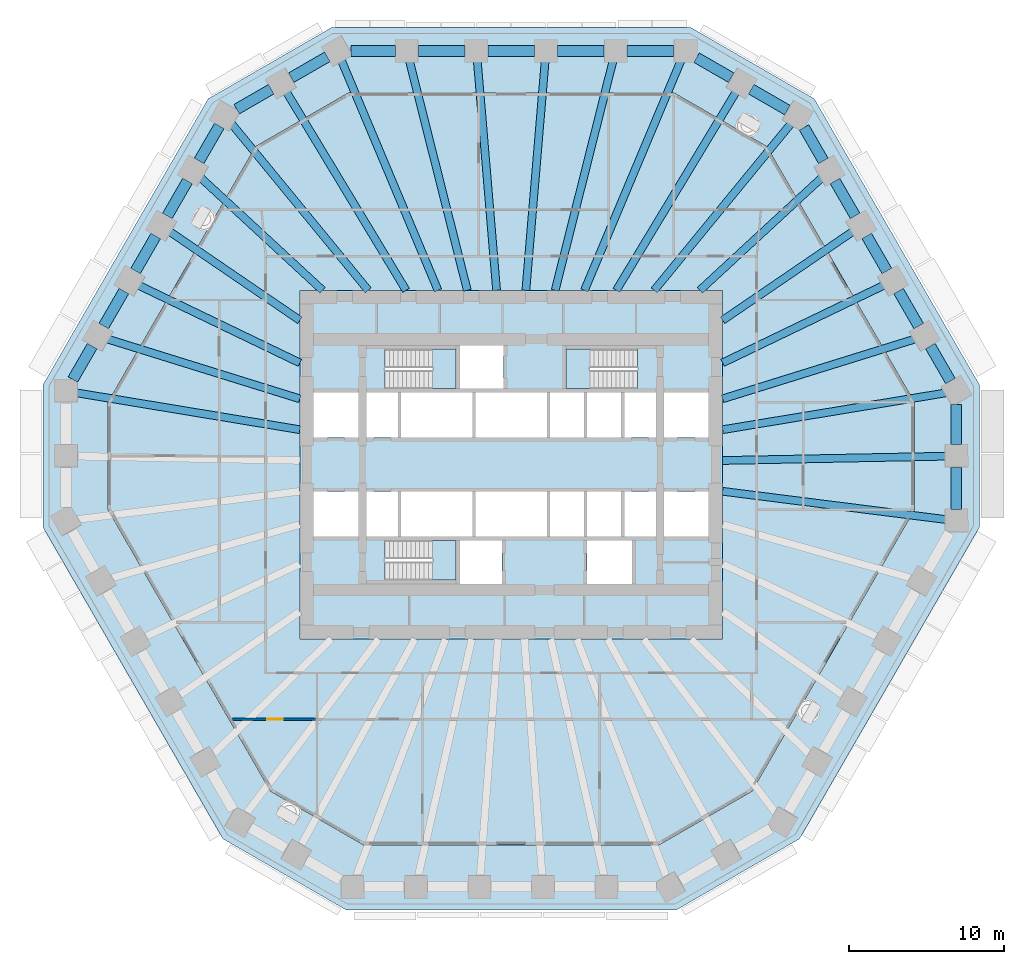
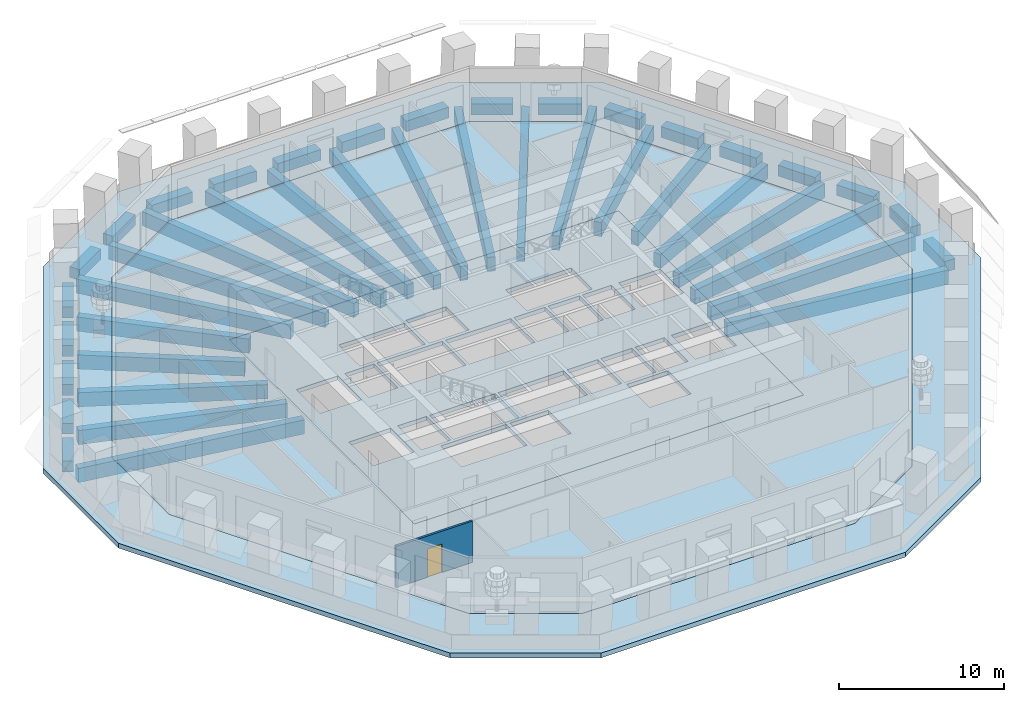
# One storey, part 2 of 13: 43 beams, 6 slabs, 1 door, 1 wall, 1 opening, 3 elements without a shape of their own.
"""IFC4 building model written with IfcOpenShell, lengths in metres."""

import ifcopenshell
import ifcopenshell.guid

model = None  # the IFC model being written
_history = None  # IfcOwnerHistory: only IFC2X3 demands one
_inside = {}  # id of a spatial element -> (the spatial element, [elements in it])
_under = {}  # id of a project, library or spatial element -> (it, [spatial elements below it])
_declared = {}  # id of a project -> (the project, [libraries it declares])
_typed = {}  # id of a type object -> (the type object, [elements of that type])
_made_of = {}  # id of a material, layer set ... -> (it, [elements and type objects made of it])


def new_model(schema):
    """Start an empty IFC model of exactly this schema.

    Asked for "IFC4X3", IfcOpenShell would pick the latest addendum, in which some entities
    have other attributes; the version numbers below select the first issue.
    IFC2X3 requires an IfcOwnerHistory on every rooted entity: one is made here for all.
    """
    global model, _history
    if schema == "IFC4X3":
        model = ifcopenshell.file(schema_version=(4, 3, 0, 0))
    else:
        model = ifcopenshell.file(schema=schema)
    _inside.clear()
    _under.clear()
    _declared.clear()
    _typed.clear()
    _made_of.clear()
    _history = None
    if model.schema == "IFC2X3":
        org = make("IfcOrganization", Name="unknown")
        user = make(
            "IfcPersonAndOrganization",
            ThePerson=make("IfcPerson", FamilyName="unknown"),
            TheOrganization=org,
        )
        app = make(
            "IfcApplication",
            ApplicationDeveloper=org,
            Version="unknown",
            ApplicationFullName="unknown",
            ApplicationIdentifier="unknown",
        )
        _history = make(
            "IfcOwnerHistory",
            OwningUser=user,
            OwningApplication=app,
            ChangeAction="ADDED",
            CreationDate=0,
        )
    return model


def make(cls, **values):
    """One entity of the class cls with the attributes given. An attribute that is None is left unset."""
    return model.create_entity(
        cls, **{name: value for name, value in values.items() if value is not None}
    )


def rooted(cls, **values):
    """An entity with a GlobalId (a new one), such as an element, a storey or a relation."""
    return make(cls, GlobalId=ifcopenshell.guid.new(), OwnerHistory=_history, **values)


def si_unit(unit_type, name, prefix=None):
    """IfcSIUnit, for example si_unit("LENGTHUNIT", "METRE", prefix="MILLI")."""
    return make("IfcSIUnit", UnitType=unit_type, Prefix=prefix, Name=name)


def assignment(units):
    """IfcUnitAssignment: the units of a project."""
    return None if units is None else make("IfcUnitAssignment", Units=units)


def point(xyz):
    """IfcCartesianPoint."""
    return None if xyz is None else make("IfcCartesianPoint", Coordinates=xyz)


def direction(xyz):
    """IfcDirection."""
    return None if xyz is None else make("IfcDirection", DirectionRatios=xyz)


def frame(location, z_axis=None, x_axis=None):
    """IfcAxis2Placement3D, a coordinate frame: its origin and axes. An axis left out is left unset."""
    return make(
        "IfcAxis2Placement3D",
        Location=point(location),
        Axis=direction(z_axis),
        RefDirection=direction(x_axis),
    )


def frame_2d(location, x_axis=None):
    """IfcAxis2Placement2D, a coordinate frame in the plane: its origin and x axis."""
    return make(
        "IfcAxis2Placement2D", Location=point(location), RefDirection=direction(x_axis)
    )


def origin():
    """The frame at (0, 0, 0) with its axes left unset."""
    return frame((0.0, 0.0, 0.0))


def origin_2d():
    """The frame at (0, 0) in the plane with its x axis left unset."""
    return frame_2d((0.0, 0.0))


def place(relative_to, where):
    """IfcLocalPlacement: puts the frame where relative to a parent placement (None: the world)."""
    return make(
        "IfcLocalPlacement", PlacementRelTo=relative_to, RelativePlacement=where
    )


def context(
    kind, dimensions, precision=None, world=None, true_north=None, identifier=None
):
    """IfcGeometricRepresentationContext, for example the 3D "Model" context."""
    return make(
        "IfcGeometricRepresentationContext",
        ContextIdentifier=identifier,
        ContextType=kind,
        CoordinateSpaceDimension=dimensions,
        Precision=precision,
        WorldCoordinateSystem=world,
        TrueNorth=true_north,
    )


def subcontext(parent, identifier, kind, view, scale=None):
    """IfcGeometricRepresentationSubContext, for example "Body" below "Model"."""
    return make(
        "IfcGeometricRepresentationSubContext",
        ContextIdentifier=identifier,
        ContextType=kind,
        ParentContext=parent,
        TargetScale=scale,
        TargetView=view,
    )


def project(units=None, contexts=None):
    """IfcProject with its units and contexts."""
    return rooted(
        "IfcProject",
        Name="project",
        RepresentationContexts=contexts,
        UnitsInContext=assignment(units),
    )


def spatial(cls, under=None, at=None, **own):
    """A site, building, storey or space (cls), placed at a placement, below another one or the project."""
    s = rooted(cls, ObjectPlacement=at, **own)
    if under is not None:
        _under.setdefault(under.id(), (under, []))[1].append(s)
    return s


def polyline(points):
    """IfcPolyline through the points."""
    return make("IfcPolyline", Points=[point(p) for p in points])


def profile(cls, at=None, kind="AREA", **sizes):
    """A parametric profile (cls). Its sizes go by their IFC names, for example OverallWidth=200.0."""
    return make(cls, ProfileType=kind, Position=at, **sizes)


def rectangle(**sizes):
    """IfcRectangleProfileDef."""
    return profile("IfcRectangleProfileDef", **sizes)


def outline(outer, holes=None, kind="AREA"):
    """IfcArbitraryClosedProfileDef: a profile drawn as a closed curve; with holes, ...WithVoids."""
    if holes is None:
        return make("IfcArbitraryClosedProfileDef", ProfileType=kind, OuterCurve=outer)
    return make(
        "IfcArbitraryProfileDefWithVoids",
        ProfileType=kind,
        OuterCurve=outer,
        InnerCurves=holes,
    )


def extrude(swept, where, along, depth):
    """IfcExtrudedAreaSolid: the profile swept, set in the frame where, extruded along a direction by depth."""
    return make(
        "IfcExtrudedAreaSolid",
        SweptArea=swept,
        Position=where,
        ExtrudedDirection=direction(along),
        Depth=depth,
    )


def shape(context_of_items, identifier, shape_type, items):
    """IfcShapeRepresentation: the items that make up one representation, for example the "Body"."""
    return make(
        "IfcShapeRepresentation",
        ContextOfItems=context_of_items,
        RepresentationIdentifier=identifier,
        RepresentationType=shape_type,
        Items=items,
    )


def material(Name=None, Category=None):
    """IfcMaterial."""
    return make("IfcMaterial", Name=Name, Category=Category)


def layer(
    of_material, thickness, ventilated=None, Name=None, Category=None, Priority=None
):
    """IfcMaterialLayer: one layer of a wall or slab, of a material (None: an air gap)."""
    return make(
        "IfcMaterialLayer",
        Material=of_material,
        LayerThickness=thickness,
        IsVentilated=ventilated,
        Name=Name,
        Category=Category,
        Priority=Priority,
    )


def layer_set(layers, Name=None):
    """IfcMaterialLayerSet."""
    return make("IfcMaterialLayerSet", MaterialLayers=layers, LayerSetName=Name)


def material_profile(
    of_material, cross_section, Name=None, Category=None, Priority=None
):
    """IfcMaterialProfile: a cross section and its material."""
    return make(
        "IfcMaterialProfile",
        Name=Name,
        Material=of_material,
        Profile=cross_section,
        Priority=Priority,
        Category=Category,
    )


def profile_set(profiles, Name=None, composite=None):
    """IfcMaterialProfileSet."""
    return make(
        "IfcMaterialProfileSet",
        Name=Name,
        MaterialProfiles=profiles,
        CompositeProfile=composite,
    )


def made_of(thing, what):
    """Note that an element or type object is made of a material, layer set ...; save() writes the relation."""
    if what is not None:
        _made_of.setdefault(what.id(), (what, []))[1].append(thing)
    return thing


def type_object(cls, material=None, **own):
    """A type object (cls), such as IfcWallType, which elements share."""
    return made_of(rooted(cls, **own), material)


def element(
    cls,
    number,
    at=None,
    inside=None,
    cuts=None,
    type_object=None,
    material=None,
    context=None,
    identifier="Body",
    shape_type=None,
    held_by="IfcProductDefinitionShape",
    body=None,
    shapes=None,
    **own,
):
    """One element of the class cls, such as IfcWall. Its Tag is "e" and its number.

    at: its placement. inside: the storey or other place that contains it. cuts: it is an
    opening in that element (IfcRelVoidsElement). A single representation is given by context,
    identifier, shape_type and body (its items); several are given by shapes. held_by: the class
    of the entity that holds the representations. save() writes the other relations.
    """
    e = rooted(cls, Tag="e%d" % number, ObjectPlacement=at, **own)
    if body is not None:
        shapes = [shape(context, identifier, shape_type, body)]
    if shapes is not None:
        e.Representation = make(held_by, Representations=shapes)
    if inside is not None:
        _inside.setdefault(inside.id(), (inside, []))[1].append(e)
    if cuts is not None:
        rooted(
            "IfcRelVoidsElement", RelatingBuildingElement=cuts, RelatedOpeningElement=e
        )
    if type_object is not None:
        _typed.setdefault(type_object.id(), (type_object, []))[1].append(e)
    return made_of(e, material)


def fill(opening, filler):
    """IfcRelFillsElement: the door or window that sits in an opening."""
    return rooted(
        "IfcRelFillsElement",
        RelatingOpeningElement=opening,
        RelatedBuildingElement=filler,
    )


def aggregate(whole, parts):
    """IfcRelAggregates: a whole, such as a stair, and the parts it consists of."""
    return rooted("IfcRelAggregates", RelatingObject=whole, RelatedObjects=parts)


def save(model, path):
    """Write the relations noted so far, then the file.

    IfcRelAggregates (storeys below a building ...), IfcRelContainedInSpatialStructure (elements
    in a storey), IfcRelDefinesByType, IfcRelAssociatesMaterial and IfcRelDeclares: one each for
    every whole, place, type object, material and project.
    """
    for whole, parts in _under.values():
        aggregate(whole, parts)
    for where, things in _inside.values():
        rooted(
            "IfcRelContainedInSpatialStructure",
            RelatedElements=things,
            RelatingStructure=where,
        )
    for kind, things in _typed.values():
        rooted("IfcRelDefinesByType", RelatedObjects=things, RelatingType=kind)
    for what, things in _made_of.values():
        rooted("IfcRelAssociatesMaterial", RelatedObjects=things, RelatingMaterial=what)
    for by, libraries in _declared.values():
        rooted("IfcRelDeclares", RelatingContext=by, RelatedDefinitions=libraries)
    model.write(path)


model = new_model("IFC4")

# Units and contexts
model_context = context("Model", 3, precision=1e-05, world=origin(), true_north=direction((0.0, 1.0)))
body_context = subcontext(model_context, "Body", "Model", "MODEL_VIEW")
ifc_project = project(units=[si_unit("LENGTHUNIT", "METRE"), si_unit("AREAUNIT", "SQUARE_METRE"), si_unit("VOLUMEUNIT", "CUBIC_METRE"), si_unit("PLANEANGLEUNIT", "RADIAN"), si_unit("MASSUNIT", "GRAM", prefix="KILO")], contexts=[model_context])

# Site, building, storey
site_placement = place(None, origin())
site = spatial("IfcSite", under=ifc_project, at=site_placement, CompositionType="ELEMENT")
building_placement = place(site_placement, origin())
building = spatial("IfcBuilding", under=site, at=building_placement, Name="Frailejon Research Tower", CompositionType="ELEMENT")
storey_placement = place(building_placement, frame((0.0, 0.0, 32.199951171875)))
storey = spatial("IfcBuildingStorey", under=building, at=storey_placement, Name="L07", CompositionType="ELEMENT", Elevation=32.199951171875)

# Beams
ifc_material_1 = material(Name="Concrete C60/75", Category="concrete")
ifc_material_profile_1 = material_profile(ifc_material_1, rectangle(XDim=0.5, YDim=1.050048828125, at=origin_2d()), Name="Girder 500x1050")
ifc_profile_set_1 = profile_set([ifc_material_profile_1], Name="Concrete C60/75")
beam_type_1 = type_object("IfcBeamType", Name="Girder 500x1050", PredefinedType="BEAM", material=ifc_profile_set_1)
beam_1_placement = place(storey_placement, frame((28.130859375, -3.55859375, -0.824951171875), z_axis=(-0.99209409937, 0.125496207094, 0.0), x_axis=(-0.125496207094, -0.99209409937, 0.0)))
element("IfcBeam", 1, at=beam_1_placement, inside=storey, type_object=beam_type_1, Name="Girder 500x1050", PredefinedType="BEAM", context=body_context, shape_type="SweptSolid", body=[
    extrude(rectangle(XDim=0.5, YDim=1.050048828125, at=origin_2d()), origin(), (0.0, 0.0, 1.0), 14.596435546875),
])
beam_2_placement = place(storey_placement, frame((28.132080078125, 0.54150390625, -0.824951171875), z_axis=(-0.999814734792, -0.019248275041, 0.0), x_axis=(0.019248275041, -0.999814734792, 0.0)))
element("IfcBeam", 2, at=beam_2_placement, inside=storey, type_object=beam_type_1, Name="Girder 500x1050", PredefinedType="BEAM", context=body_context, shape_type="SweptSolid", body=[
    extrude(rectangle(XDim=0.5, YDim=1.050048828125, at=origin_2d()), origin(), (0.0, 0.0, 1.0), 14.48486328125),
])
beam_3_placement = place(storey_placement, frame((28.08935546875, 4.634765625, -0.824951171875), z_axis=(-0.986658647749, -0.162802680633, 0.0), x_axis=(0.162802680633, -0.986658647749, 0.0)))
element("IfcBeam", 3, at=beam_3_placement, inside=storey, type_object=beam_type_1, Name="Girder 500x1050", PredefinedType="BEAM", context=body_context, shape_type="SweptSolid", body=[
    extrude(rectangle(XDim=0.5, YDim=1.050048828125, at=origin_2d()), origin(), (0.0, 0.0, 1.0), 14.634765625),
])
beam_4_placement = place(storey_placement, frame((26.089111328125, 8.111328125, -0.824951171875), z_axis=(-0.954912166518, -0.296888454197, 0.0), x_axis=(0.296888454197, -0.954912166518, 0.0)))
element("IfcBeam", 4, at=beam_4_placement, inside=storey, type_object=beam_type_1, Name="Girder 500x1050", PredefinedType="BEAM", context=body_context, shape_type="SweptSolid", body=[
    extrude(rectangle(XDim=0.5, YDim=1.050048828125, at=origin_2d()), origin(), (0.0, 0.0, 1.0), 13.026611328125),
])
beam_5_placement = place(storey_placement, frame((24.085205078125, 11.58837890625, -0.824951171875), z_axis=(-0.901116698077, -0.433576632727, 0.0), x_axis=(0.433576632727, -0.901116698077, 0.0)))
element("IfcBeam", 5, at=beam_5_placement, inside=storey, type_object=beam_type_1, Name="Girder 500x1050", PredefinedType="BEAM", context=body_context, shape_type="SweptSolid", body=[
    extrude(rectangle(XDim=0.5, YDim=1.050048828125, at=origin_2d()), origin(), (0.0, 0.0, 1.0), 11.580322265625),
])
beam_6_placement = place(storey_placement, frame((22.078369140625, 15.064208984375, -0.824951171875), z_axis=(-0.826042528234, -0.563607790532, 0.0), x_axis=(0.563607790532, -0.826042528234, 0.0)))
element("IfcBeam", 6, at=beam_6_placement, inside=storey, type_object=beam_type_1, Name="Girder 500x1050", PredefinedType="BEAM", context=body_context, shape_type="SweptSolid", body=[
    extrude(rectangle(XDim=0.5, YDim=1.050048828125, at=origin_2d()), origin(), (0.0, 0.0, 1.0), 10.203369140625),
])
beam_7_placement = place(storey_placement, frame((20.069091796875, 18.5380859375, -0.824951171875), z_axis=(-0.734576833318, -0.678525516066, 0.0), x_axis=(0.678525516066, -0.734576833318, 0.0)))
element("IfcBeam", 7, at=beam_7_placement, inside=storey, type_object=beam_type_1, Name="Girder 500x1050", PredefinedType="BEAM", context=body_context, shape_type="SweptSolid", body=[
    extrude(rectangle(XDim=0.5, YDim=1.050048828125, at=origin_2d()), origin(), (0.0, 0.0, 1.0), 10.740966796875),
])
beam_8_placement = place(storey_placement, frame((18.084716796875, 22.040771484375, -0.824951171875), z_axis=(-0.63431821986, -0.773072050946, 0.0), x_axis=(0.773072050946, -0.63431821986, 0.0)))
element("IfcBeam", 8, at=beam_8_placement, inside=storey, type_object=beam_type_1, Name="Girder 500x1050", PredefinedType="BEAM", context=body_context, shape_type="SweptSolid", body=[
    extrude(rectangle(XDim=0.5, YDim=1.050048828125, at=origin_2d()), origin(), (0.0, 0.0, 1.0), 13.958251953125),
])
beam_9_placement = place(storey_placement, frame((14.53515625, 24.09228515625, -0.824951171875), z_axis=(-0.516586376292, -0.856235082106, 0.0), x_axis=(0.856235082106, -0.516586376292, 0.0)))
element("IfcBeam", 9, at=beam_9_placement, inside=storey, type_object=beam_type_1, Name="Girder 500x1050", PredefinedType="BEAM", context=body_context, shape_type="SweptSolid", body=[
    extrude(rectangle(XDim=0.5, YDim=1.050048828125, at=origin_2d()), origin(), (0.0, 0.0, 1.0), 14.99853515625),
])
beam_10_placement = place(storey_placement, frame((10.96142578125, 26.08837890625, -0.824951171875), z_axis=(-0.387364517157, -0.921926640708, 0.0), x_axis=(0.921926640708, -0.387364517157, 0.0)))
element("IfcBeam", 10, at=beam_10_placement, inside=storey, type_object=beam_type_1, Name="Girder 500x1050", PredefinedType="BEAM", context=body_context, shape_type="SweptSolid", body=[
    extrude(rectangle(XDim=0.5, YDim=1.050048828125, at=origin_2d()), origin(), (0.0, 0.0, 1.0), 16.094970703125),
])
beam_11_placement = place(storey_placement, frame((6.57861328125, 26.095458984375, -0.824951171875), z_axis=(-0.244444991491, -0.969663161172, 0.0), x_axis=(0.969663161172, -0.244444991491, 0.0)))
element("IfcBeam", 11, at=beam_11_placement, inside=storey, type_object=beam_type_1, Name="Girder 500x1050", PredefinedType="BEAM", context=body_context, shape_type="SweptSolid", body=[
    extrude(rectangle(XDim=0.5, YDim=1.050048828125, at=origin_2d()), origin(), (0.0, 0.0, 1.0), 15.309814453125),
])
for number, where, z_axis, x_axis, name in (
    (12, (2.193115234375, 26.099609375, -0.824951171875), (-0.083734229832, -0.996488122736, 0.0), (0.996488122736, -0.083734229832, 0.0), "Girder 500x1050"),
    (13, (-2.193115234375, 26.099609375, -0.824951171875), (0.083734229832, -0.996488122736, 0.0), (0.996488122736, 0.083734229832, 0.0), "Girder 500x1050"),
):
    element("IfcBeam", number, at=place(storey_placement, frame(where, z_axis=z_axis, x_axis=x_axis)), inside=storey, type_object=beam_type_1, Name=name, PredefinedType="BEAM", context=body_context, shape_type="SweptSolid", body=[
        extrude(rectangle(XDim=0.5, YDim=1.050048828125, at=origin_2d()), origin(), (0.0, 0.0, 1.0), 14.90185546875),
    ])
beam_12_placement = place(storey_placement, frame((-6.57861328125, 26.095458984375, -0.824951171875), z_axis=(0.244444991491, -0.969663161172, 0.0), x_axis=(0.969663161172, 0.244444991491, 0.0)))
element("IfcBeam", 14, at=beam_12_placement, inside=storey, type_object=beam_type_1, Name="Girder 500x1050", PredefinedType="BEAM", context=body_context, shape_type="SweptSolid", body=[
    extrude(rectangle(XDim=0.5, YDim=1.050048828125, at=origin_2d()), origin(), (0.0, 0.0, 1.0), 15.309814453125),
])
beam_13_placement = place(storey_placement, frame((-10.98388671875, 26.141357421875, -0.824951171875), z_axis=(0.387375095639, -0.921922195892, 0.0), x_axis=(0.921922195892, 0.387375095639, 0.0)))
element("IfcBeam", 15, at=beam_13_placement, inside=storey, type_object=beam_type_1, Name="Girder 500x1050", PredefinedType="BEAM", context=body_context, shape_type="SweptSolid", body=[
    extrude(rectangle(XDim=0.5, YDim=1.050048828125, at=origin_2d()), origin(), (0.0, 0.0, 1.0), 16.152587890625),
])
beam_14_placement = place(storey_placement, frame((-14.53515625, 24.09228515625, -0.824951171875), z_axis=(0.516586376292, -0.856235082106, 0.0), x_axis=(0.856235082106, 0.516586376292, 0.0)))
element("IfcBeam", 16, at=beam_14_placement, inside=storey, type_object=beam_type_1, Name="Girder 500x1050", PredefinedType="BEAM", context=body_context, shape_type="SweptSolid", body=[
    extrude(rectangle(XDim=0.5, YDim=1.050048828125, at=origin_2d()), origin(), (0.0, 0.0, 1.0), 14.99853515625),
])
beam_15_placement = place(storey_placement, frame((-18.058349609375, 22.0087890625, -0.824951171875), z_axis=(0.634312848066, -0.773076458559, 0.0), x_axis=(0.773076458559, 0.634312848066, 0.0)))
element("IfcBeam", 17, at=beam_15_placement, inside=storey, type_object=beam_type_1, Name="Girder 500x1050", PredefinedType="BEAM", context=body_context, shape_type="SweptSolid", body=[
    extrude(rectangle(XDim=0.5, YDim=1.050048828125, at=origin_2d()), origin(), (0.0, 0.0, 1.0), 13.916748046875),
])
beam_16_placement = place(storey_placement, frame((-20.069091796875, 18.5380859375, -0.824951171875), z_axis=(0.734576833318, -0.678525516066, 0.0), x_axis=(0.678525516066, 0.734576833318, 0.0)))
element("IfcBeam", 18, at=beam_16_placement, inside=storey, type_object=beam_type_1, Name="Girder 500x1050", PredefinedType="BEAM", context=body_context, shape_type="SweptSolid", body=[
    extrude(rectangle(XDim=0.5, YDim=1.050048828125, at=origin_2d()), origin(), (0.0, 0.0, 1.0), 10.740966796875),
])
beam_17_placement = place(storey_placement, frame((-22.078369140625, 15.064208984375, -0.824951171875), z_axis=(0.826042528234, -0.563607790532, 0.0), x_axis=(0.563607790532, 0.826042528234, 0.0)))
element("IfcBeam", 19, at=beam_17_placement, inside=storey, type_object=beam_type_1, Name="Girder 500x1050", PredefinedType="BEAM", context=body_context, shape_type="SweptSolid", body=[
    extrude(rectangle(XDim=0.5, YDim=1.050048828125, at=origin_2d()), origin(), (0.0, 0.0, 1.0), 10.203369140625),
])
beam_18_placement = place(storey_placement, frame((-24.085205078125, 11.58837890625, -0.824951171875), z_axis=(0.901116698077, -0.433576632727, 0.0), x_axis=(0.433576632727, 0.901116698077, 0.0)))
element("IfcBeam", 20, at=beam_18_placement, inside=storey, type_object=beam_type_1, Name="Girder 500x1050", PredefinedType="BEAM", context=body_context, shape_type="SweptSolid", body=[
    extrude(rectangle(XDim=0.5, YDim=1.050048828125, at=origin_2d()), origin(), (0.0, 0.0, 1.0), 11.580322265625),
])
beam_19_placement = place(storey_placement, frame((-26.089111328125, 8.111328125, -0.824951171875), z_axis=(0.954912166518, -0.296888454197, 0.0), x_axis=(0.296888454197, 0.954912166518, 0.0)))
element("IfcBeam", 21, at=beam_19_placement, inside=storey, type_object=beam_type_1, Name="Girder 500x1050", PredefinedType="BEAM", context=body_context, shape_type="SweptSolid", body=[
    extrude(rectangle(XDim=0.5, YDim=1.050048828125, at=origin_2d()), origin(), (0.0, 0.0, 1.0), 13.026611328125),
])
beam_20_placement = place(storey_placement, frame((-28.130126953125, 4.641357421875, -0.824951171875), z_axis=(0.986660132562, -0.162793681733, 0.0), x_axis=(0.162793681733, 0.986660132562, 0.0)))
element("IfcBeam", 22, at=beam_20_placement, inside=storey, type_object=beam_type_1, Name="Girder 500x1050", PredefinedType="BEAM", context=body_context, shape_type="SweptSolid", body=[
    extrude(rectangle(XDim=0.5, YDim=1.050048828125, at=origin_2d()), origin(), (0.0, 0.0, 1.0), 14.676025390625),
])
ifc_material_2 = material(Name="Concrete C60/75", Category="concrete")
ifc_material_profile_2 = material_profile(ifc_material_2, rectangle(XDim=0.699951171875, YDim=0.800048828125, at=origin_2d()), Name="Spandrel 700x800")
ifc_profile_set_2 = profile_set([ifc_material_profile_2], Name="Concrete C60/75")
beam_type_2 = type_object("IfcBeamType", Name="Spandrel 700x800", PredefinedType="BEAM", material=ifc_profile_set_2)
beam_21_placement = place(storey_placement, frame((28.732177734375, -2.884521484375, -0.75), z_axis=(0.0, 1.0, 0.0), x_axis=(-1.0, 0.0, 0.0)))
element("IfcBeam", 23, at=beam_21_placement, inside=storey, type_object=beam_type_2, Name="Spandrel 700x800", PredefinedType="BEAM", context=body_context, shape_type="SweptSolid", body=[
    extrude(rectangle(XDim=0.699951171875, YDim=0.800048828125, at=origin_2d()), origin(), (0.0, 0.0, 1.0), 2.6875),
])
beam_22_placement = place(storey_placement, frame((28.732177734375, 1.302978515625, -0.75), z_axis=(0.0, 1.0, 0.0), x_axis=(-1.0, 0.0, 0.0)))
element("IfcBeam", 24, at=beam_22_placement, inside=storey, type_object=beam_type_2, Name="Spandrel 700x800", PredefinedType="BEAM", context=body_context, shape_type="SweptSolid", body=[
    extrude(rectangle(XDim=0.699951171875, YDim=0.800048828125, at=origin_2d()), origin(), (0.0, 0.0, 1.0), 2.57177734375),
])
for number, where, z_axis, x_axis, name in (
    (25, (28.357177734375, 5.39013671875, -0.75), (-0.500030809598, 0.866007615124, 0.0), (-0.866007615124, -0.500030809598, 0.0), "Spandrel 700x800"),
    (26, (26.304931640625, 8.944580078125, -0.75), (-0.499960499499, 0.866048208208, 0.0), (-0.866048208208, -0.499960499499, 0.0), "Spandrel 700x800"),
    (27, (24.2529296875, 12.498779296875, -0.75), (-0.500030809598, 0.866007615124, 0.0), (-0.866007615124, -0.500030809598, 0.0), "Spandrel 700x800"),
    (28, (22.20068359375, 16.05322265625, -0.75), (-0.499960499499, 0.866048208208, 0.0), (-0.866048208208, -0.499960499499, 0.0), "Spandrel 700x800"),
):
    element("IfcBeam", number, at=place(storey_placement, frame(where, z_axis=z_axis, x_axis=x_axis)), inside=storey, type_object=beam_type_2, Name=name, PredefinedType="BEAM", context=body_context, shape_type="SweptSolid", body=[
        extrude(rectangle(XDim=0.699951171875, YDim=0.800048828125, at=origin_2d()), origin(), (0.0, 0.0, 1.0), 2.604248046875),
    ])
beam_23_placement = place(storey_placement, frame((20.148681640625, 19.607666015625, -0.75), z_axis=(-0.500022557078, 0.866012380058, 0.0), x_axis=(-0.866012380058, -0.500022557078, 0.0)))
element("IfcBeam", 29, at=beam_23_placement, inside=storey, type_object=beam_type_2, Name="Spandrel 700x800", PredefinedType="BEAM", context=body_context, shape_type="SweptSolid", body=[
    extrude(rectangle(XDim=0.699951171875, YDim=0.800048828125, at=origin_2d()), origin(), (0.0, 0.0, 1.0), 2.48828125),
])
beam_24_placement = place(storey_placement, frame((17.822021484375, 22.887451171875, -0.75), z_axis=(-0.866020687897, 0.500008168067, 0.0), x_axis=(-0.500008168067, -0.866020687897, 0.0)))
element("IfcBeam", 30, at=beam_24_placement, inside=storey, type_object=beam_type_2, Name="Spandrel 700x800", PredefinedType="BEAM", context=body_context, shape_type="SweptSolid", body=[
    extrude(rectangle(XDim=0.699951171875, YDim=0.800048828125, at=origin_2d()), origin(), (0.0, 0.0, 1.0), 2.6875),
])
beam_25_placement = place(storey_placement, frame((14.195556640625, 24.981201171875, -0.75), z_axis=(-0.866008514048, 0.50002925274, 0.0), x_axis=(-0.50002925274, -0.866008514048, 0.0)))
element("IfcBeam", 31, at=beam_25_placement, inside=storey, type_object=beam_type_2, Name="Spandrel 700x800", PredefinedType="BEAM", context=body_context, shape_type="SweptSolid", body=[
    extrude(rectangle(XDim=0.699951171875, YDim=0.800048828125, at=origin_2d()), origin(), (0.0, 0.0, 1.0), 2.571533203125),
])
beam_26_placement = place(storey_placement, frame((10.468505859375, 26.699951171875, -0.75), z_axis=(-1.0, 0.0, 0.0), x_axis=(0.0, -1.0, 0.0)))
element("IfcBeam", 32, at=beam_26_placement, inside=storey, type_object=beam_type_2, Name="Spandrel 700x800", PredefinedType="BEAM", context=body_context, shape_type="SweptSolid", body=[
    extrude(rectangle(XDim=0.699951171875, YDim=0.800048828125, at=origin_2d()), origin(), (0.0, 0.0, 1.0), 2.9873046875),
])
beam_27_placement = place(storey_placement, frame((5.981201171875, 26.699951171875, -0.75), z_axis=(-1.0, 0.0, 0.0), x_axis=(0.0, -1.0, 0.0)))
element("IfcBeam", 33, at=beam_27_placement, inside=storey, type_object=beam_type_2, Name="Spandrel 700x800", PredefinedType="BEAM", context=body_context, shape_type="SweptSolid", body=[
    extrude(rectangle(XDim=0.699951171875, YDim=0.800048828125, at=origin_2d()), origin(), (0.0, 0.0, 1.0), 2.987548828125),
])
beam_28_placement = place(storey_placement, frame((1.49365234375, 26.699951171875, -0.75), z_axis=(-1.0, 0.0, 0.0), x_axis=(0.0, -1.0, 0.0)))
element("IfcBeam", 34, at=beam_28_placement, inside=storey, type_object=beam_type_2, Name="Spandrel 700x800", PredefinedType="BEAM", context=body_context, shape_type="SweptSolid", body=[
    extrude(rectangle(XDim=0.699951171875, YDim=0.800048828125, at=origin_2d()), origin(), (0.0, 0.0, 1.0), 2.9873046875),
])
beam_29_placement = place(storey_placement, frame((-2.99365234375, 26.699951171875, -0.75), z_axis=(-1.0, 0.0, 0.0), x_axis=(0.0, -1.0, 0.0)))
element("IfcBeam", 35, at=beam_29_placement, inside=storey, type_object=beam_type_2, Name="Spandrel 700x800", PredefinedType="BEAM", context=body_context, shape_type="SweptSolid", body=[
    extrude(rectangle(XDim=0.699951171875, YDim=0.800048828125, at=origin_2d()), origin(), (0.0, 0.0, 1.0), 2.987548828125),
])
beam_30_placement = place(storey_placement, frame((-7.481201171875, 26.699951171875, -0.75), z_axis=(-1.0, 0.0, 0.0), x_axis=(0.0, -1.0, 0.0)))
element("IfcBeam", 36, at=beam_30_placement, inside=storey, type_object=beam_type_2, Name="Spandrel 700x800", PredefinedType="BEAM", context=body_context, shape_type="SweptSolid", body=[
    extrude(rectangle(XDim=0.699951171875, YDim=0.800048828125, at=origin_2d()), origin(), (0.0, 0.0, 1.0), 2.871337890625),
])
beam_31_placement = place(storey_placement, frame((-11.867919921875, 26.324951171875, -0.75), z_axis=(-0.866043397086, -0.499968833392, 0.0), x_axis=(0.499968833392, -0.866043397086, 0.0)))
element("IfcBeam", 37, at=beam_31_placement, inside=storey, type_object=beam_type_2, Name="Spandrel 700x800", PredefinedType="BEAM", context=body_context, shape_type="SweptSolid", body=[
    extrude(rectangle(XDim=0.699951171875, YDim=0.800048828125, at=origin_2d()), origin(), (0.0, 0.0, 1.0), 2.687744140625),
])
beam_32_placement = place(storey_placement, frame((-15.49462890625, 24.231201171875, -0.75), z_axis=(-0.866008514048, -0.50002925274, 0.0), x_axis=(0.50002925274, -0.866008514048, 0.0)))
element("IfcBeam", 38, at=beam_32_placement, inside=storey, type_object=beam_type_2, Name="Spandrel 700x800", PredefinedType="BEAM", context=body_context, shape_type="SweptSolid", body=[
    extrude(rectangle(XDim=0.699951171875, YDim=0.800048828125, at=origin_2d()), origin(), (0.0, 0.0, 1.0), 2.571533203125),
])
beam_33_placement = place(storey_placement, frame((-18.8466796875, 21.86279296875, -0.75), z_axis=(-0.500001094379, -0.866024771944, 0.0), x_axis=(0.866024771944, -0.500001094379, 0.0)))
element("IfcBeam", 39, at=beam_33_placement, inside=storey, type_object=beam_type_2, Name="Spandrel 700x800", PredefinedType="BEAM", context=body_context, shape_type="SweptSolid", body=[
    extrude(rectangle(XDim=0.699951171875, YDim=0.800048828125, at=origin_2d()), origin(), (0.0, 0.0, 1.0), 2.60400390625),
])
for number, where, z_axis, x_axis, name in (
    (40, (-20.898681640625, 18.30859375, -0.75), (-0.499960499499, -0.866048208208, 0.0), (0.866048208208, -0.499960499499, 0.0), "Spandrel 700x800"),
    (41, (-22.95068359375, 14.754150390625, -0.75), (-0.500030809598, -0.866007615124, 0.0), (0.866007615124, -0.500030809598, 0.0), "Spandrel 700x800"),
    (42, (-25.0029296875, 11.199951171875, -0.75), (-0.499960499499, -0.866048208208, 0.0), (0.866048208208, -0.499960499499, 0.0), "Spandrel 700x800"),
):
    element("IfcBeam", number, at=place(storey_placement, frame(where, z_axis=z_axis, x_axis=x_axis)), inside=storey, type_object=beam_type_2, Name=name, PredefinedType="BEAM", context=body_context, shape_type="SweptSolid", body=[
        extrude(rectangle(XDim=0.699951171875, YDim=0.800048828125, at=origin_2d()), origin(), (0.0, 0.0, 1.0), 2.604248046875),
    ])
beam_34_placement = place(storey_placement, frame((-27.054931640625, 7.6455078125, -0.75), z_axis=(-0.500022557078, -0.866012380058, 0.0), x_axis=(0.866012380058, -0.500022557078, 0.0)))
element("IfcBeam", 43, at=beam_34_placement, inside=storey, type_object=beam_type_2, Name="Spandrel 700x800", PredefinedType="BEAM", context=body_context, shape_type="SweptSolid", body=[
    extrude(rectangle(XDim=0.699951171875, YDim=0.800048828125, at=origin_2d()), origin(), (0.0, 0.0, 1.0), 2.48828125),
])

# Slabs
ifc_material_3 = material(Name="Concrete C70/85", Category="concrete")
ifc_layer_1 = layer(ifc_material_3, 0.300048828125)
ifc_layer_set_1 = layer_set([ifc_layer_1], Name="Core floor slab 300 C70/85")
slab_type_1 = type_object("IfcSlabType", Name="Core floor slab 300 C70/85", PredefinedType="FLOOR", material=ifc_layer_set_1)
slab_1_placement = place(storey_placement, frame((0.0, 0.0, -0.300048828125)))
element("IfcSlab", 44, at=slab_1_placement, inside=storey, type_object=slab_type_1, Name="Core floor slab", PredefinedType="FLOOR", context=body_context, shape_type="SweptSolid", body=[
    extrude(outline(polyline([(13.64990234375, -11.25), (13.64990234375, 11.25), (-13.64990234375, 11.25), (-13.64990234375, -11.25), (13.64990234375, -11.25)]), holes=[polyline([(-9.85009765625, 1.75), (-9.85009765625, 4.64990234375), (-12.75, 4.64990234375), (-12.75, 1.75), (-9.85009765625, 1.75)]), polyline([(-7.300048828125, 1.75), (-7.300048828125, 4.64990234375), (-9.35009765625, 4.64990234375), (-9.35009765625, 1.75), (-7.300048828125, 1.75)]), polyline([(-2.5, 1.75), (-2.5, 4.64990234375), (-7.10009765625, 4.64990234375), (-7.10009765625, 1.75), (-2.5, 1.75)]), polyline([(2.300048828125, 1.75), (2.300048828125, 4.64990234375), (-2.300048828125, 4.64990234375), (-2.300048828125, 1.75), (2.300048828125, 1.75)]), polyline([(4.699951171875, 1.75), (4.699951171875, 4.64990234375), (2.5, 4.64990234375), (2.5, 1.75), (4.699951171875, 1.75)]), polyline([(7.10009765625, 1.75), (7.10009765625, 4.64990234375), (4.89990234375, 4.64990234375), (4.89990234375, 1.75), (7.10009765625, 1.75)]), polyline([(9.35009765625, 1.75), (9.35009765625, 4.64990234375), (7.300048828125, 4.64990234375), (7.300048828125, 1.75), (9.35009765625, 1.75)]), polyline([(12.75, 1.75), (12.75, 4.64990234375), (9.85009765625, 4.64990234375), (9.85009765625, 1.75), (12.75, 1.75)]), polyline([(-9.85009765625, -4.64990234375), (-9.85009765625, -1.75), (-12.75, -1.75), (-12.75, -4.64990234375), (-9.85009765625, -4.64990234375)]), polyline([(-7.300048828125, -4.64990234375), (-7.300048828125, -1.75), (-9.35009765625, -1.75), (-9.35009765625, -4.64990234375), (-7.300048828125, -4.64990234375)]), polyline([(-2.5, -4.64990234375), (-2.5, -1.75), (-7.10009765625, -1.75), (-7.10009765625, -4.64990234375), (-2.5, -4.64990234375)]), polyline([(2.300048828125, -4.64990234375), (2.300048828125, -1.75), (-2.300048828125, -1.75), (-2.300048828125, -4.64990234375), (2.300048828125, -4.64990234375)]), polyline([(4.699951171875, -4.64990234375), (4.699951171875, -1.75), (2.5, -1.75), (2.5, -4.64990234375), (4.699951171875, -4.64990234375)]), polyline([(7.10009765625, -4.64990234375), (7.10009765625, -1.75), (4.89990234375, -1.75), (4.89990234375, -4.64990234375), (7.10009765625, -4.64990234375)]), polyline([(9.35009765625, -4.64990234375), (9.35009765625, -1.75), (7.300048828125, -1.75), (7.300048828125, -4.64990234375), (9.35009765625, -4.64990234375)]), polyline([(12.75, -4.64990234375), (12.75, -1.75), (9.85009765625, -1.75), (9.85009765625, -4.64990234375), (12.75, -4.64990234375)]), polyline([(-8.14697265625, 4.89990234375), (-3.550048828125, 4.89990234375), (-3.550048828125, 7.449951171875), (-8.14697265625, 7.449951171875), (-8.14697265625, 4.89990234375)]), polyline([(-8.14697265625, -7.449951171875), (-3.550048828125, -7.449951171875), (-3.550048828125, -4.89990234375), (-8.14697265625, -4.89990234375), (-8.14697265625, -7.449951171875)]), polyline([(8.14697265625, 7.449951171875), (3.550048828125, 7.449951171875), (3.550048828125, 4.89990234375), (8.14697265625, 4.89990234375), (8.14697265625, 7.449951171875)]), polyline([(-0.60009765625, -7.699951171875), (-0.60009765625, -4.89990234375), (-3.300048828125, -4.89990234375), (-3.300048828125, -7.699951171875), (-0.60009765625, -7.699951171875)]), polyline([(7.800048828125, -7.699951171875), (7.800048828125, -4.89990234375), (4.89990234375, -4.89990234375), (4.89990234375, -7.699951171875), (7.800048828125, -7.699951171875)]), polyline([(-0.5, 4.89990234375), (-0.5, 7.699951171875), (-3.300048828125, 7.699951171875), (-3.300048828125, 4.89990234375), (-0.5, 4.89990234375)])]), origin(), (0.0, 0.0, 1.0), 0.300048828125),
])
ifc_material_4 = material(Name="Concrete C40/50", Category="concrete")
ifc_layer_2 = layer(ifc_material_4, 0.35009765625)
ifc_layer_set_2 = layer_set([ifc_layer_2], Name="Loggia slab 350")
slab_type_2 = type_object("IfcSlabType", Name="Loggia slab 350", PredefinedType="USERDEFINED", material=ifc_layer_set_2)
slab_2_placement = place(storey_placement, frame((0.0, 0.0, -0.349853515625)))
element("IfcSlab", 45, at=slab_2_placement, inside=storey, type_object=slab_type_2, Name="Loggia slab L07", ObjectType="LOGGIA", PredefinedType="USERDEFINED", context=body_context, shape_type="SweptSolid", body=[
    extrude(outline(polyline([(18.61181640625, -24.16357421875), (10.66259765625, -28.753173828125), (-10.66259765625, -28.753173828125), (-18.61181640625, -24.16357421875), (-30.232177734375, -4.036376953125), (-30.232177734375, 5.142578125), (-19.569580078125, 23.610595703125), (-11.62060546875, 28.199951171875), (11.62060546875, 28.199951171875), (19.569580078125, 23.610595703125), (30.232177734375, 5.142578125), (30.232177734375, -4.036376953125), (18.61181640625, -24.16357421875)]), holes=[polyline([(26.031982421875, 4.01708984375), (16.4951171875, 20.535888671875), (10.4951171875, 24.0), (-10.4951171875, 24.0), (-16.4951171875, 20.535888671875), (-26.031982421875, 4.01708984375), (-26.031982421875, -2.910888671875), (-15.537109375, -21.089111328125), (-9.537109375, -24.552978515625), (9.537109375, -24.552978515625), (15.537109375, -21.089111328125), (26.031982421875, -2.910888671875), (26.031982421875, 4.01708984375)])]), origin(), (0.0, 0.0, 1.0), 0.349853515625),
])
ifc_material_5 = material(Name="Concrete C40/50", Category="concrete")
ifc_layer_3 = layer(ifc_material_5, 0.300048828125)
ifc_layer_set_3 = layer_set([ifc_layer_3], Name="Slab typical 300")
slab_type_3 = type_object("IfcSlabType", Name="Slab typical 300", PredefinedType="FLOOR", material=ifc_layer_set_3)
slab_3_placement = place(storey_placement, frame((0.0, 0.0, -0.300048828125)))
element("IfcSlab", 46, at=slab_3_placement, inside=storey, type_object=slab_type_3, Name="Floor slab L07", PredefinedType="FLOOR", context=body_context, shape_type="SweptSolid", body=[
    extrude(outline(polyline([(26.031982421875, -2.910888671875), (26.031982421875, 4.01708984375), (16.4951171875, 20.535888671875), (10.4951171875, 24.0), (-10.4951171875, 24.0), (-16.4951171875, 20.535888671875), (-26.031982421875, 4.01708984375), (-26.031982421875, -2.910888671875), (-15.537109375, -21.089111328125), (-9.537109375, -24.552978515625), (9.537109375, -24.552978515625), (15.537109375, -21.089111328125), (26.031982421875, -2.910888671875)]), holes=[polyline([(13.64990234375, -11.25), (-13.64990234375, -11.25), (-13.64990234375, 11.25), (13.64990234375, 11.25), (13.64990234375, -11.25)])]), origin(), (0.0, 0.0, 1.0), 0.300048828125),
])

# Stair, slab
ifc_material_6 = material(Name="Concrete C50/60", Category="concrete")
stair_type = type_object("IfcStairType", Name="Exit stair 24 risers", PredefinedType="HALF_TURN_STAIR", material=ifc_material_6)
stair_1_placement = place(storey_placement, origin())
stair_1 = element("IfcStair", 47, at=stair_1_placement, inside=storey, type_object=stair_type, Name="L07 Exit stair ST1", PredefinedType="HALF_TURN_STAIR")
ifc_material_7 = material(Name="Concrete C50/60", Category="concrete")
ifc_layer_4 = layer(ifc_material_7, 0.199951171875)
ifc_layer_set_4 = layer_set([ifc_layer_4], Name="Stair landing slab 200")
slab_type_4 = type_object("IfcSlabType", Name="Stair landing slab 200", PredefinedType="LANDING", material=ifc_layer_set_4)
slab_4_placement = place(storey_placement, frame((0.0, 0.0, 2.0)))
slab_4 = element("IfcSlab", 48, at=slab_4_placement, type_object=slab_type_4, Name="ST1 landing 1", PredefinedType="LANDING", context=body_context, shape_type="SweptSolid", body=[
    extrude(outline(polyline([(-5.070068359375, 4.89990234375), (-3.550048828125, 4.89990234375), (-3.550048828125, 7.449951171875), (-5.070068359375, 7.449951171875), (-5.070068359375, 4.89990234375)])), origin(), (0.0, 0.0, 1.0), 0.199951171875),
])
aggregate(stair_1, [slab_4])

stair_2_placement = place(storey_placement, origin())
stair_2 = element("IfcStair", 49, at=stair_2_placement, inside=storey, type_object=stair_type, Name="L07 Exit stair ST2", PredefinedType="HALF_TURN_STAIR")
slab_5_placement = place(storey_placement, frame((0.0, 0.0, 2.0)))
slab_5 = element("IfcSlab", 50, at=slab_5_placement, type_object=slab_type_4, Name="ST2 landing 1", PredefinedType="LANDING", context=body_context, shape_type="SweptSolid", body=[
    extrude(outline(polyline([(-5.070068359375, -7.449951171875), (-3.550048828125, -7.449951171875), (-3.550048828125, -4.89990234375), (-5.070068359375, -4.89990234375), (-5.070068359375, -7.449951171875)])), origin(), (0.0, 0.0, 1.0), 0.199951171875),
])
aggregate(stair_2, [slab_5])

stair_3_placement = place(storey_placement, origin())
stair_3 = element("IfcStair", 51, at=stair_3_placement, inside=storey, type_object=stair_type, Name="L07 Exit stair ST3", PredefinedType="HALF_TURN_STAIR")
slab_6_placement = place(storey_placement, frame((0.0, 0.0, 2.0)))
slab_6 = element("IfcSlab", 52, at=slab_6_placement, type_object=slab_type_4, Name="ST3 landing 1", PredefinedType="LANDING", context=body_context, shape_type="SweptSolid", body=[
    extrude(outline(polyline([(5.070068359375, 7.449951171875), (3.550048828125, 7.449951171875), (3.550048828125, 4.89990234375), (5.070068359375, 4.89990234375), (5.070068359375, 7.449951171875)])), origin(), (0.0, 0.0, 1.0), 0.199951171875),
])
aggregate(stair_3, [slab_6])

# Wall, opening, door
ifc_material_8 = material(Name="Gypsum board and masonry partition", Category="masonry")
ifc_layer_5 = layer(ifc_material_8, 0.14990234375)
ifc_layer_set_5 = layer_set([ifc_layer_5], Name="Laboratory partition, blockwork 150")
wall_type = type_object("IfcWallType", Name="Laboratory partition, blockwork 150", PredefinedType="PARTITIONING", material=ifc_layer_set_5)
wall_placement = place(storey_placement, frame((-17.984619140625, -16.449951171875, 0.0), z_axis=(0.0, 0.0, 1.0), x_axis=(1.0, 0.0, 0.0)))
wall = element("IfcWall", 53, at=wall_placement, inside=storey, type_object=wall_type, Name="T:IW:L07:019", PredefinedType="PARTITIONING", context=body_context, shape_type="SweptSolid", body=[
    extrude(rectangle(XDim=5.37255859375, YDim=0.14990234375, at=frame_2d((2.686279296875, 0.0))), origin(), (0.0, 0.0, 1.0), 3.050048828125),
])
opening_placement = place(wall_placement, frame((2.2236328125, 0.0, 0.0)))
opening = element("IfcOpeningElement", 54, at=opening_placement, cuts=wall, Name="Opening D1336", PredefinedType="OPENING", context=body_context, shape_type="SweptSolid", body=[
    extrude(rectangle(XDim=1.0, YDim=2.10009765625, at=frame_2d((0.5, 1.050048828125))), frame((0.0, 0.0849609375, 0.0), z_axis=(0.0, -1.0, 0.0), x_axis=(1.0, 0.0, 0.0)), (0.0, 0.0, 1.0), 0.169921875),
])
ifc_material_9 = material(Name="Timber door leaf", Category="wood")
door_type = type_object("IfcDoorType", Name="Door single leaf, timber, steel frame 1000", OperationType="NOTDEFINED", PredefinedType="DOOR", material=ifc_material_9)
door_placement = place(opening_placement, origin())
door = element("IfcDoor", 55, at=door_placement, inside=storey, type_object=door_type, Name="D1336", OperationType="SINGLE_SWING_LEFT", OverallHeight=2.10009765625, OverallWidth=1.0, PredefinedType="DOOR", context=body_context, shape_type="SweptSolid", body=[
    extrude(rectangle(XDim=1.0, YDim=2.10009765625, at=frame_2d((0.5, 1.050048828125))), frame((0.0, 0.02490234375, 0.0), z_axis=(0.0, -1.0, 0.0), x_axis=(1.0, 0.0, 0.0)), (0.0, 0.0, 1.0), 0.050048828125),
])
fill(opening, door)

save(model, "model.ifc")
